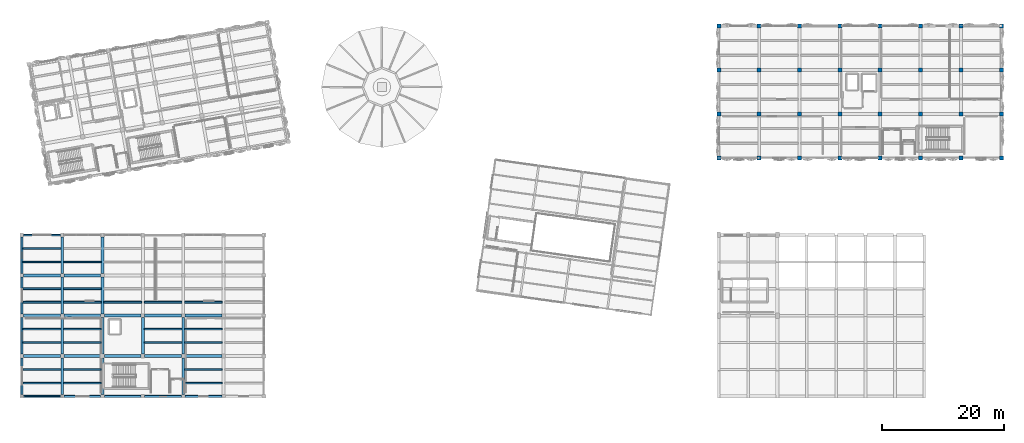
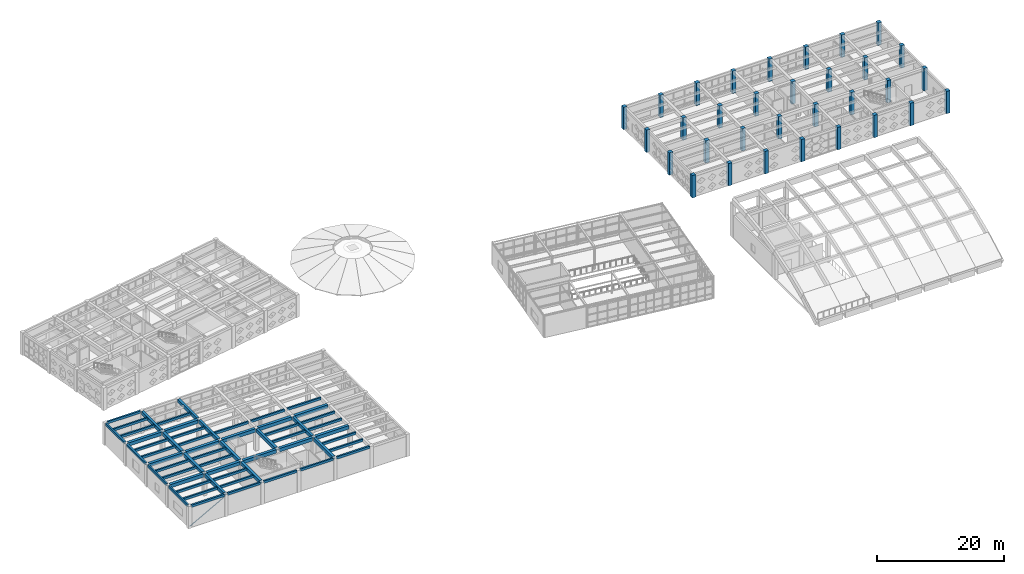
# One storey, part 5 of 67: 57 beams, 32 columns, 1 member.
"""IFC4 building model written with IfcOpenShell, lengths in metres."""

from ifc_helpers import new_model, si_unit, direction, frame, origin, origin_2d, place, context, subcontext, project, spatial, rectangle, hollow_rectangle, extrude, material, material_profile, profile_set, type_object, element, save


model = new_model("IFC4")

# Units and contexts
model_context = context("Model", 3, precision=1e-05, world=origin(), true_north=direction((0.0, 1.0)))
body_context = subcontext(model_context, "Body", "Model", "MODEL_VIEW")
ifc_project = project(units=[si_unit("LENGTHUNIT", "METRE"), si_unit("AREAUNIT", "SQUARE_METRE"), si_unit("VOLUMEUNIT", "CUBIC_METRE"), si_unit("PLANEANGLEUNIT", "RADIAN"), si_unit("MASSUNIT", "GRAM", prefix="KILO")], contexts=[model_context])

# Site, building, storey
site_placement = place(None, origin())
site = spatial("IfcSite", under=ifc_project, at=site_placement, CompositionType="ELEMENT")
building_placement = place(site_placement, origin())
building = spatial("IfcBuilding", under=site, at=building_placement, Name="Kharisveld Research Institute", CompositionType="ELEMENT")
storey_placement = place(building_placement, frame((0.0, 0.0, 9.60009765625)))
storey = spatial("IfcBuildingStorey", under=building, at=storey_placement, Name="L02", CompositionType="ELEMENT", Elevation=9.60009765625)

# Columns
ifc_material_1 = material(Name="Concrete C40/50", Category="concrete")
ifc_material_profile_1 = material_profile(ifc_material_1, rectangle(XDim=0.64990234375, YDim=0.64990234375, at=origin_2d()))
ifc_profile_set_1 = profile_set([ifc_material_profile_1], Name="Concrete C40/50")
column_type = type_object("IfcColumnType", Name="COL_RC_650", PredefinedType="COLUMN", material=ifc_profile_set_1)
for number, where, z_axis, x_axis, name in (
    (1, (114.60009765625, 39.199951171875, 0.0), (0.0, 0.0, 1.0), (1.0, 0.0, 0.0), "COL:V2:L02:U0V0"),
    (2, (114.60009765625, 46.39990234375, 0.0), (0.0, 0.0, 1.0), (1.0, 0.0, 0.0), "COL:V2:L02:U0V1"),
    (3, (114.60009765625, 53.60009765625, 0.0), (0.0, 0.0, 1.0), (1.0, 0.0, 0.0), "COL:V2:L02:U0V2"),
    (4, (114.60009765625, 60.800048828125, 0.0), (0.0, 0.0, 1.0), (1.0, 0.0, 0.0), "COL:V2:L02:U0V3"),
    (5, (121.199951171875, 39.199951171875, 0.0), (0.0, 0.0, 1.0), (1.0, 0.0, 0.0), "COL:V2:L02:U1V0"),
    (6, (121.199951171875, 46.39990234375, 0.0), (0.0, 0.0, 1.0), (1.0, 0.0, 0.0), "COL:V2:L02:U1V1"),
    (7, (121.199951171875, 53.60009765625, 0.0), (0.0, 0.0, 1.0), (1.0, 0.0, 0.0), "COL:V2:L02:U1V2"),
    (8, (121.199951171875, 60.800048828125, 0.0), (0.0, 0.0, 1.0), (1.0, 0.0, 0.0), "COL:V2:L02:U1V3"),
    (9, (127.800048828125, 39.199951171875, 0.0), (0.0, 0.0, 1.0), (1.0, 0.0, 0.0), "COL:V2:L02:U2V0"),
    (10, (127.800048828125, 46.39990234375, 0.0), (0.0, 0.0, 1.0), (1.0, 0.0, 0.0), "COL:V2:L02:U2V1"),
    (11, (127.800048828125, 53.60009765625, 0.0), (0.0, 0.0, 1.0), (1.0, 0.0, 0.0), "COL:V2:L02:U2V2"),
    (12, (127.800048828125, 60.800048828125, 0.0), (0.0, 0.0, 1.0), (1.0, 0.0, 0.0), "COL:V2:L02:U2V3"),
    (13, (134.39990234375, 39.199951171875, 0.0), (0.0, 0.0, 1.0), (1.0, 0.0, 0.0), "COL:V2:L02:U3V0"),
    (14, (134.39990234375, 46.39990234375, 0.0), (0.0, 0.0, 1.0), (1.0, 0.0, 0.0), "COL:V2:L02:U3V1"),
    (15, (134.39990234375, 53.60009765625, 0.0), (0.0, 0.0, 1.0), (1.0, 0.0, 0.0), "COL:V2:L02:U3V2"),
    (16, (134.39990234375, 60.800048828125, 0.0), (0.0, 0.0, 1.0), (1.0, 0.0, 0.0), "COL:V2:L02:U3V3"),
    (17, (141.0, 39.199951171875, 0.0), (0.0, 0.0, 1.0), (1.0, 0.0, 0.0), "COL:V2:L02:U4V0"),
    (18, (141.0, 46.39990234375, 0.0), (0.0, 0.0, 1.0), (1.0, 0.0, 0.0), "COL:V2:L02:U4V1"),
    (19, (141.0, 53.60009765625, 0.0), (0.0, 0.0, 1.0), (1.0, 0.0, 0.0), "COL:V2:L02:U4V2"),
    (20, (141.0, 60.800048828125, 0.0), (0.0, 0.0, 1.0), (1.0, 0.0, 0.0), "COL:V2:L02:U4V3"),
    (21, (147.60009765625, 39.199951171875, 0.0), (0.0, 0.0, 1.0), (1.0, 0.0, 0.0), "COL:V2:L02:U5V0"),
    (22, (147.60009765625, 46.39990234375, 0.0), (0.0, 0.0, 1.0), (1.0, 0.0, 0.0), "COL:V2:L02:U5V1"),
    (23, (147.60009765625, 53.60009765625, 0.0), (0.0, 0.0, 1.0), (1.0, 0.0, 0.0), "COL:V2:L02:U5V2"),
    (24, (147.60009765625, 60.800048828125, 0.0), (0.0, 0.0, 1.0), (1.0, 0.0, 0.0), "COL:V2:L02:U5V3"),
    (25, (154.199951171875, 39.199951171875, 0.0), (0.0, 0.0, 1.0), (1.0, 0.0, 0.0), "COL:V2:L02:U6V0"),
    (26, (154.199951171875, 46.39990234375, 0.0), (0.0, 0.0, 1.0), (1.0, 0.0, 0.0), "COL:V2:L02:U6V1"),
    (27, (154.199951171875, 53.60009765625, 0.0), (0.0, 0.0, 1.0), (1.0, 0.0, 0.0), "COL:V2:L02:U6V2"),
    (28, (154.199951171875, 60.800048828125, 0.0), (0.0, 0.0, 1.0), (1.0, 0.0, 0.0), "COL:V2:L02:U6V3"),
    (29, (160.800048828125, 39.199951171875, 0.0), (0.0, 0.0, 1.0), (1.0, 0.0, 0.0), "COL:V2:L02:U7V0"),
    (30, (160.800048828125, 46.39990234375, 0.0), (0.0, 0.0, 1.0), (1.0, 0.0, 0.0), "COL:V2:L02:U7V1"),
    (31, (160.800048828125, 53.60009765625, 0.0), (0.0, 0.0, 1.0), (1.0, 0.0, 0.0), "COL:V2:L02:U7V2"),
    (32, (160.800048828125, 60.800048828125, 0.0), (0.0, 0.0, 1.0), (1.0, 0.0, 0.0), "COL:V2:L02:U7V3"),
):
    element("IfcColumn", number, at=place(storey_placement, frame(where, z_axis=z_axis, x_axis=x_axis)), inside=storey, type_object=column_type, Name=name, PredefinedType="COLUMN", context=body_context, shape_type="SweptSolid", body=[
        extrude(rectangle(XDim=0.64990234375, YDim=0.64990234375, at=origin_2d()), origin(), (0.0, 0.0, 1.0), 4.2998046875),
    ])

# Beams
ifc_material_2 = material(Name="Concrete C40/50", Category="concrete")
ifc_material_profile_2 = material_profile(ifc_material_2, rectangle(XDim=0.449951171875, YDim=0.64990234375, at=origin_2d()))
ifc_profile_set_2 = profile_set([ifc_material_profile_2], Name="Concrete C40/50")
beam_type_1 = type_object("IfcBeamType", Name="BM_RC_450x650", PredefinedType="BEAM", material=ifc_profile_set_2)
for number, where, z_axis, x_axis, name in (
    (33, (7.199951171875, 0.5, 3.954833984375), (0.0, 1.0, 0.0), (-1.0, 0.0, 0.0), "BM:V3:L02:V1_0"),
    (34, (7.199951171875, 7.10009765625, 3.954833984375), (0.0, 1.0, 0.0), (-1.0, 0.0, 0.0), "BM:V3:L02:V1_1"),
    (35, (7.199951171875, 13.699951171875, 3.954833984375), (0.0, 1.0, 0.0), (-1.0, 0.0, 0.0), "BM:V3:L02:V1_2"),
    (36, (7.199951171875, 20.300048828125, 3.954833984375), (0.0, 1.0, 0.0), (-1.0, 0.0, 0.0), "BM:V3:L02:V1_3"),
    (37, (13.800048828125, 0.5, 3.954833984375), (0.0, 1.0, 0.0), (-1.0, 0.0, 0.0), "BM:V3:L02:V2_0"),
    (38, (13.800048828125, 7.10009765625, 3.954833984375), (0.0, 1.0, 0.0), (-1.0, 0.0, 0.0), "BM:V3:L02:V2_1"),
    (39, (13.800048828125, 13.699951171875, 3.954833984375), (0.0, 1.0, 0.0), (-1.0, 0.0, 0.0), "BM:V3:L02:V2_2"),
    (40, (13.800048828125, 20.300048828125, 3.954833984375), (0.0, 1.0, 0.0), (-1.0, 0.0, 0.0), "BM:V3:L02:V2_3"),
    (41, (20.39990234375, 7.10009765625, 3.954833984375), (0.0, 1.0, 0.0), (-1.0, 0.0, 0.0), "BM:V3:L02:V3_1"),
    (42, (27.0, 0.5, 3.954833984375), (0.0, 1.0, 0.0), (-1.0, 0.0, 0.0), "BM:V3:L02:V4_0"),
    (43, (27.0, 7.10009765625, 3.954833984375), (0.0, 1.0, 0.0), (-1.0, 0.0, 0.0), "BM:V3:L02:V4_1"),
):
    element("IfcBeam", number, at=place(storey_placement, frame(where, z_axis=z_axis, x_axis=x_axis)), inside=storey, type_object=beam_type_1, Name=name, PredefinedType="BEAM", context=body_context, shape_type="SweptSolid", body=[
        extrude(rectangle(XDim=0.449951171875, YDim=0.64990234375, at=origin_2d()), origin(), (0.0, 0.0, 1.0), 6.0),
    ])
ifc_material_3 = material(Name="Concrete C40/50", Category="concrete")
ifc_material_profile_3 = material_profile(ifc_material_3, rectangle(XDim=0.5, YDim=0.64990234375, at=origin_2d()))
ifc_profile_set_3 = profile_set([ifc_material_profile_3], Name="Concrete C40/50")
beam_type_2 = type_object("IfcBeamType", Name="BM_RC_500x650", PredefinedType="BEAM", material=ifc_profile_set_3)
for number, where, z_axis, x_axis, name in (
    (44, (0.89990234375, 6.800048828125, 3.954833984375), (1.0, 0.0, 0.0), (0.0, 1.0, 0.0), "BM:V3:L02:U0_1"),
    (45, (7.5, 6.800048828125, 3.954833984375), (1.0, 0.0, 0.0), (0.0, 1.0, 0.0), "BM:V3:L02:U1_1"),
    (46, (14.10009765625, 6.800048828125, 3.954833984375), (1.0, 0.0, 0.0), (0.0, 1.0, 0.0), "BM:V3:L02:U2_1"),
    (47, (20.699951171875, 6.800048828125, 3.954833984375), (1.0, 0.0, 0.0), (0.0, 1.0, 0.0), "BM:V3:L02:U3_1"),
    (48, (27.300048828125, 6.800048828125, 3.954833984375), (1.0, 0.0, 0.0), (0.0, 1.0, 0.0), "BM:V3:L02:U4_1"),
    (49, (0.89990234375, 13.39990234375, 3.954833984375), (1.0, 0.0, 0.0), (0.0, 1.0, 0.0), "BM:V3:L02:U0_2"),
    (50, (7.5, 13.39990234375, 3.954833984375), (1.0, 0.0, 0.0), (0.0, 1.0, 0.0), "BM:V3:L02:U1_2"),
    (51, (14.10009765625, 13.39990234375, 3.954833984375), (1.0, 0.0, 0.0), (0.0, 1.0, 0.0), "BM:V3:L02:U2_2"),
    (52, (20.699951171875, 13.39990234375, 3.954833984375), (1.0, 0.0, 0.0), (0.0, 1.0, 0.0), "BM:V3:L02:U3_2"),
    (53, (27.300048828125, 13.39990234375, 3.954833984375), (1.0, 0.0, 0.0), (0.0, 1.0, 0.0), "BM:V3:L02:U4_2"),
    (54, (0.89990234375, 20.0, 3.954833984375), (1.0, 0.0, 0.0), (0.0, 1.0, 0.0), "BM:V3:L02:U0_3"),
    (55, (7.5, 20.0, 3.954833984375), (1.0, 0.0, 0.0), (0.0, 1.0, 0.0), "BM:V3:L02:U1_3"),
):
    element("IfcBeam", number, at=place(storey_placement, frame(where, z_axis=z_axis, x_axis=x_axis)), inside=storey, type_object=beam_type_2, Name=name, PredefinedType="BEAM", context=body_context, shape_type="SweptSolid", body=[
        extrude(rectangle(XDim=0.5, YDim=0.64990234375, at=origin_2d()), origin(), (0.0, 0.0, 1.0), 6.0),
    ])

# Member
ifc_material_4 = material(Name="Steel S355J2H", Category="steel")
ifc_material_profile_4 = material_profile(ifc_material_4, hollow_rectangle(XDim=0.1201171875, YDim=0.1201171875, WallThickness=0.00634765625, at=origin_2d()))
ifc_profile_set_4 = profile_set([ifc_material_profile_4], Name="Steel S355J2H")
member_type = type_object("IfcMemberType", Name="BR_SHS120", PredefinedType="BRACE", material=ifc_profile_set_4)
member_placement = place(storey_placement, frame((0.699951171875, 0.199951171875, 0.199951171875), z_axis=(0.875640522822, 0.0, 0.482963430077), x_axis=(0.0, 1.0, 0.0)))
element("IfcMember", 56, at=member_placement, inside=storey, type_object=member_type, Name="MEM:V3:L02:BR_0_0", PredefinedType="BRACE", context=body_context, shape_type="SweptSolid", body=[
    extrude(hollow_rectangle(XDim=0.1201171875, YDim=0.1201171875, WallThickness=0.00634765625, at=origin_2d()), origin(), (0.0, 0.0, 1.0), 7.30908203125),
])

# Beams
ifc_material_5 = material(Name="Concrete C40/50", Category="concrete")
ifc_material_profile_5 = material_profile(ifc_material_5, rectangle(XDim=0.300048828125, YDim=0.449951171875, at=origin_2d()))
ifc_profile_set_5 = profile_set([ifc_material_profile_5], Name="Concrete C40/50")
beam_type_3 = type_object("IfcBeamType", Name="SP_RC_300x450", PredefinedType="SPANDREL", material=ifc_profile_set_5)
for number, where, z_axis, x_axis, name in (
    (57, (0.89990234375, 0.199951171875, 4.054931640625), (1.0, 0.0, 0.0), (0.0, 1.0, 0.0), "BM:V3:L02:U0_0"),
    (58, (7.5, 0.199951171875, 4.054931640625), (1.0, 0.0, 0.0), (0.0, 1.0, 0.0), "BM:V3:L02:U1_0"),
    (59, (14.10009765625, 0.199951171875, 4.054931640625), (1.0, 0.0, 0.0), (0.0, 1.0, 0.0), "BM:V3:L02:U2_0"),
    (60, (20.699951171875, 0.199951171875, 4.054931640625), (1.0, 0.0, 0.0), (0.0, 1.0, 0.0), "BM:V3:L02:U3_0"),
    (61, (27.300048828125, 0.199951171875, 4.054931640625), (1.0, 0.0, 0.0), (0.0, 1.0, 0.0), "BM:V3:L02:U4_0"),
    (62, (0.89990234375, 26.60009765625, 4.054931640625), (1.0, 0.0, 0.0), (0.0, 1.0, 0.0), "BM:V3:L02:U0_4"),
    (63, (0.60009765625, 0.5, 4.054931640625), (0.0, 1.0, 0.0), (-1.0, 0.0, 0.0), "BM:V3:L02:V0_0"),
    (64, (0.60009765625, 7.10009765625, 4.054931640625), (0.0, 1.0, 0.0), (-1.0, 0.0, 0.0), "BM:V3:L02:V0_1"),
    (65, (0.60009765625, 13.699951171875, 4.054931640625), (0.0, 1.0, 0.0), (-1.0, 0.0, 0.0), "BM:V3:L02:V0_2"),
    (66, (0.60009765625, 20.300048828125, 4.054931640625), (0.0, 1.0, 0.0), (-1.0, 0.0, 0.0), "BM:V3:L02:V0_3"),
):
    element("IfcBeam", number, at=place(storey_placement, frame(where, z_axis=z_axis, x_axis=x_axis)), inside=storey, type_object=beam_type_3, Name=name, PredefinedType="SPANDREL", context=body_context, shape_type="SweptSolid", body=[
        extrude(rectangle(XDim=0.300048828125, YDim=0.449951171875, at=origin_2d()), origin(), (0.0, 0.0, 1.0), 6.0),
    ])
ifc_material_6 = material(Name="Concrete C40/50", Category="concrete")
ifc_material_profile_6 = material_profile(ifc_material_6, rectangle(XDim=0.280029296875, YDim=0.449951171875, at=origin_2d()))
ifc_profile_set_6 = profile_set([ifc_material_profile_6], Name="Concrete C40/50")
beam_type_4 = type_object("IfcBeamType", Name="WB_RC_280x450", PredefinedType="JOIST", material=ifc_profile_set_6)
for number, where, z_axis, x_axis, name in (
    (67, (0.75, 2.39990234375, 4.054931640625), (1.0, 0.0, 0.0), (0.0, 1.0, 0.0), "BM:V3:L02:J_0_0_R1"),
    (68, (0.75, 4.60009765625, 4.054931640625), (1.0, 0.0, 0.0), (0.0, 1.0, 0.0), "BM:V3:L02:J_0_0_R2"),
    (69, (0.75, 9.0, 4.054931640625), (1.0, 0.0, 0.0), (0.0, 1.0, 0.0), "BM:V3:L02:J_0_1_R1"),
    (70, (0.75, 11.199951171875, 4.054931640625), (1.0, 0.0, 0.0), (0.0, 1.0, 0.0), "BM:V3:L02:J_0_1_R2"),
    (71, (0.75, 15.60009765625, 4.054931640625), (1.0, 0.0, 0.0), (0.0, 1.0, 0.0), "BM:V3:L02:J_0_2_R1"),
    (72, (0.75, 17.800048828125, 4.054931640625), (1.0, 0.0, 0.0), (0.0, 1.0, 0.0), "BM:V3:L02:J_0_2_R2"),
    (73, (0.75, 22.199951171875, 4.054931640625), (1.0, 0.0, 0.0), (0.0, 1.0, 0.0), "BM:V3:L02:J_0_3_R1"),
    (74, (0.75, 24.39990234375, 4.054931640625), (1.0, 0.0, 0.0), (0.0, 1.0, 0.0), "BM:V3:L02:J_0_3_R2"),
):
    element("IfcBeam", number, at=place(storey_placement, frame(where, z_axis=z_axis, x_axis=x_axis)), inside=storey, type_object=beam_type_4, Name=name, PredefinedType="JOIST", context=body_context, shape_type="SweptSolid", body=[
        extrude(rectangle(XDim=0.280029296875, YDim=0.449951171875, at=origin_2d()), origin(), (0.0, 0.0, 1.0), 6.22509765625),
    ])
for number, where, z_axis, x_axis, name in (
    (75, (7.425048828125, 2.39990234375, 4.054931640625), (1.0, 0.0, 0.0), (0.0, 1.0, 0.0), "BM:V3:L02:J_1_0_R1"),
    (76, (7.425048828125, 4.60009765625, 4.054931640625), (1.0, 0.0, 0.0), (0.0, 1.0, 0.0), "BM:V3:L02:J_1_0_R2"),
    (77, (7.425048828125, 9.0, 4.054931640625), (1.0, 0.0, 0.0), (0.0, 1.0, 0.0), "BM:V3:L02:J_1_1_R1"),
    (78, (7.425048828125, 11.199951171875, 4.054931640625), (1.0, 0.0, 0.0), (0.0, 1.0, 0.0), "BM:V3:L02:J_1_1_R2"),
    (79, (7.425048828125, 15.60009765625, 4.054931640625), (1.0, 0.0, 0.0), (0.0, 1.0, 0.0), "BM:V3:L02:J_1_2_R1"),
    (80, (7.425048828125, 17.800048828125, 4.054931640625), (1.0, 0.0, 0.0), (0.0, 1.0, 0.0), "BM:V3:L02:J_1_2_R2"),
    (81, (7.425048828125, 22.199951171875, 4.054931640625), (1.0, 0.0, 0.0), (0.0, 1.0, 0.0), "BM:V3:L02:J_1_3_R1"),
):
    element("IfcBeam", number, at=place(storey_placement, frame(where, z_axis=z_axis, x_axis=x_axis)), inside=storey, type_object=beam_type_4, Name=name, PredefinedType="JOIST", context=body_context, shape_type="SweptSolid", body=[
        extrude(rectangle(XDim=0.280029296875, YDim=0.449951171875, at=origin_2d()), origin(), (0.0, 0.0, 1.0), 6.14990234375),
    ])
beam_placement = place(storey_placement, frame((14.02490234375, 15.60009765625, 4.054931640625), z_axis=(1.0, 0.0, 0.0), x_axis=(0.0, 1.0, 0.0)))
element("IfcBeam", 82, at=beam_placement, inside=storey, type_object=beam_type_4, Name="BM:V3:L02:J_2_2_R1", PredefinedType="JOIST", context=body_context, shape_type="SweptSolid", body=[
    extrude(rectangle(XDim=0.280029296875, YDim=0.449951171875, at=origin_2d()), origin(), (0.0, 0.0, 1.0), 6.150146484375),
])
for number, where, z_axis, x_axis, name in (
    (83, (20.625, 9.0, 4.054931640625), (1.0, 0.0, 0.0), (0.0, 1.0, 0.0), "BM:V3:L02:J_3_1_R1"),
    (84, (20.625, 11.199951171875, 4.054931640625), (1.0, 0.0, 0.0), (0.0, 1.0, 0.0), "BM:V3:L02:J_3_1_R2"),
    (85, (20.625, 15.60009765625, 4.054931640625), (1.0, 0.0, 0.0), (0.0, 1.0, 0.0), "BM:V3:L02:J_3_2_R1"),
    (86, (27.22509765625, 2.39990234375, 4.054931640625), (1.0, 0.0, 0.0), (0.0, 1.0, 0.0), "BM:V3:L02:J_4_0_R1"),
    (87, (27.22509765625, 4.60009765625, 4.054931640625), (1.0, 0.0, 0.0), (0.0, 1.0, 0.0), "BM:V3:L02:J_4_0_R2"),
    (88, (27.22509765625, 9.0, 4.054931640625), (1.0, 0.0, 0.0), (0.0, 1.0, 0.0), "BM:V3:L02:J_4_1_R1"),
    (89, (27.22509765625, 11.199951171875, 4.054931640625), (1.0, 0.0, 0.0), (0.0, 1.0, 0.0), "BM:V3:L02:J_4_1_R2"),
    (90, (27.22509765625, 15.60009765625, 4.054931640625), (1.0, 0.0, 0.0), (0.0, 1.0, 0.0), "BM:V3:L02:J_4_2_R1"),
):
    element("IfcBeam", number, at=place(storey_placement, frame(where, z_axis=z_axis, x_axis=x_axis)), inside=storey, type_object=beam_type_4, Name=name, PredefinedType="JOIST", context=body_context, shape_type="SweptSolid", body=[
        extrude(rectangle(XDim=0.280029296875, YDim=0.449951171875, at=origin_2d()), origin(), (0.0, 0.0, 1.0), 6.14990234375),
    ])

save(model, "model.ifc")
